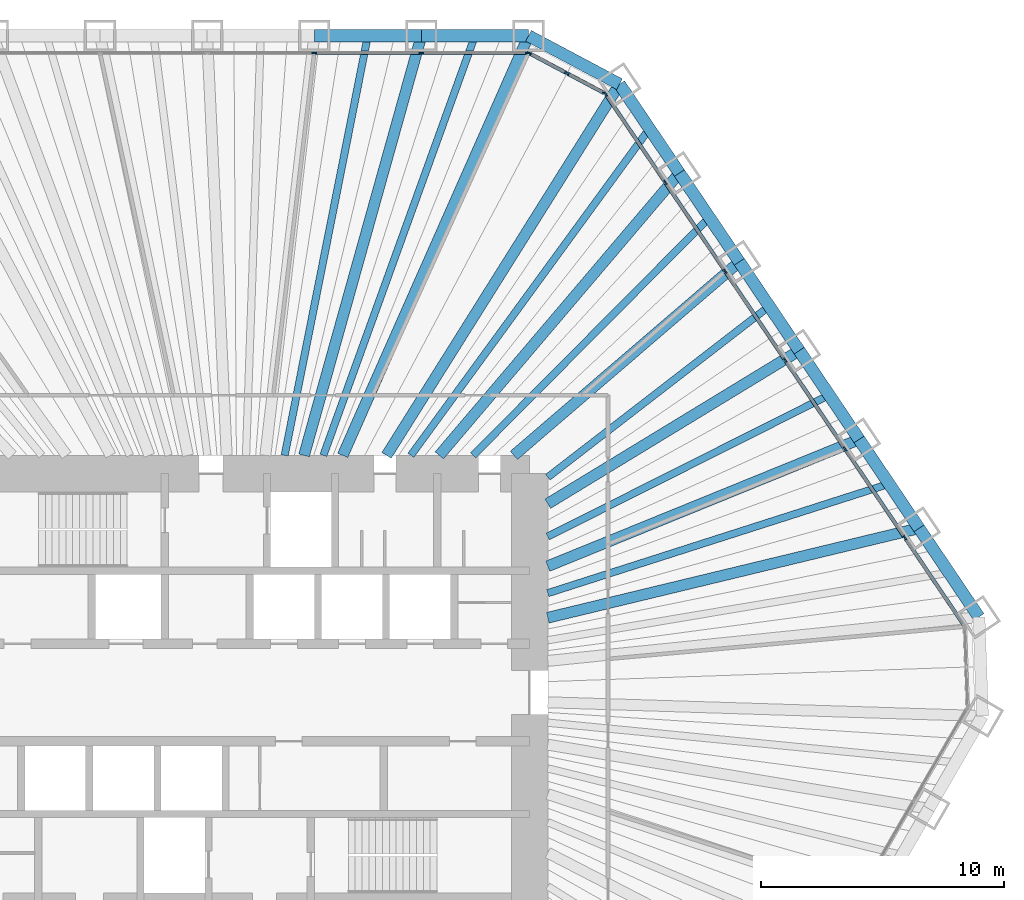
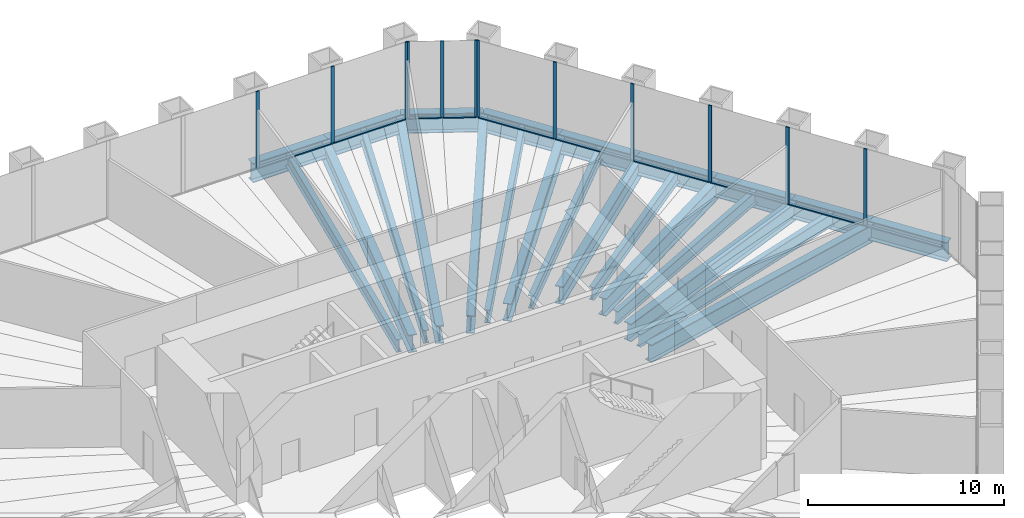
# One storey, part 7 of 13: 24 beams, 22 members, 3 elements without a shape of their own.
"""IFC4 building model written with IfcOpenShell, lengths in metres."""

import ifcopenshell
import ifcopenshell.guid

model = None  # the IFC model being written
_history = None  # IfcOwnerHistory: only IFC2X3 demands one
_inside = {}  # id of a spatial element -> (the spatial element, [elements in it])
_under = {}  # id of a project, library or spatial element -> (it, [spatial elements below it])
_declared = {}  # id of a project -> (the project, [libraries it declares])
_typed = {}  # id of a type object -> (the type object, [elements of that type])
_made_of = {}  # id of a material, layer set ... -> (it, [elements and type objects made of it])


def new_model(schema):
    """Start an empty IFC model of exactly this schema.

    Asked for "IFC4X3", IfcOpenShell would pick the latest addendum, in which some entities
    have other attributes; the version numbers below select the first issue.
    IFC2X3 requires an IfcOwnerHistory on every rooted entity: one is made here for all.
    """
    global model, _history
    if schema == "IFC4X3":
        model = ifcopenshell.file(schema_version=(4, 3, 0, 0))
    else:
        model = ifcopenshell.file(schema=schema)
    _inside.clear()
    _under.clear()
    _declared.clear()
    _typed.clear()
    _made_of.clear()
    _history = None
    if model.schema == "IFC2X3":
        org = make("IfcOrganization", Name="unknown")
        user = make(
            "IfcPersonAndOrganization",
            ThePerson=make("IfcPerson", FamilyName="unknown"),
            TheOrganization=org,
        )
        app = make(
            "IfcApplication",
            ApplicationDeveloper=org,
            Version="unknown",
            ApplicationFullName="unknown",
            ApplicationIdentifier="unknown",
        )
        _history = make(
            "IfcOwnerHistory",
            OwningUser=user,
            OwningApplication=app,
            ChangeAction="ADDED",
            CreationDate=0,
        )
    return model


def make(cls, **values):
    """One entity of the class cls with the attributes given. An attribute that is None is left unset."""
    return model.create_entity(
        cls, **{name: value for name, value in values.items() if value is not None}
    )


def rooted(cls, **values):
    """An entity with a GlobalId (a new one), such as an element, a storey or a relation."""
    return make(cls, GlobalId=ifcopenshell.guid.new(), OwnerHistory=_history, **values)


def si_unit(unit_type, name, prefix=None):
    """IfcSIUnit, for example si_unit("LENGTHUNIT", "METRE", prefix="MILLI")."""
    return make("IfcSIUnit", UnitType=unit_type, Prefix=prefix, Name=name)


def assignment(units):
    """IfcUnitAssignment: the units of a project."""
    return None if units is None else make("IfcUnitAssignment", Units=units)


def point(xyz):
    """IfcCartesianPoint."""
    return None if xyz is None else make("IfcCartesianPoint", Coordinates=xyz)


def direction(xyz):
    """IfcDirection."""
    return None if xyz is None else make("IfcDirection", DirectionRatios=xyz)


def frame(location, z_axis=None, x_axis=None):
    """IfcAxis2Placement3D, a coordinate frame: its origin and axes. An axis left out is left unset."""
    return make(
        "IfcAxis2Placement3D",
        Location=point(location),
        Axis=direction(z_axis),
        RefDirection=direction(x_axis),
    )


def frame_2d(location, x_axis=None):
    """IfcAxis2Placement2D, a coordinate frame in the plane: its origin and x axis."""
    return make(
        "IfcAxis2Placement2D", Location=point(location), RefDirection=direction(x_axis)
    )


def origin():
    """The frame at (0, 0, 0) with its axes left unset."""
    return frame((0.0, 0.0, 0.0))


def origin_2d():
    """The frame at (0, 0) in the plane with its x axis left unset."""
    return frame_2d((0.0, 0.0))


def place(relative_to, where):
    """IfcLocalPlacement: puts the frame where relative to a parent placement (None: the world)."""
    return make(
        "IfcLocalPlacement", PlacementRelTo=relative_to, RelativePlacement=where
    )


def context(
    kind, dimensions, precision=None, world=None, true_north=None, identifier=None
):
    """IfcGeometricRepresentationContext, for example the 3D "Model" context."""
    return make(
        "IfcGeometricRepresentationContext",
        ContextIdentifier=identifier,
        ContextType=kind,
        CoordinateSpaceDimension=dimensions,
        Precision=precision,
        WorldCoordinateSystem=world,
        TrueNorth=true_north,
    )


def subcontext(parent, identifier, kind, view, scale=None):
    """IfcGeometricRepresentationSubContext, for example "Body" below "Model"."""
    return make(
        "IfcGeometricRepresentationSubContext",
        ContextIdentifier=identifier,
        ContextType=kind,
        ParentContext=parent,
        TargetScale=scale,
        TargetView=view,
    )


def project(units=None, contexts=None):
    """IfcProject with its units and contexts."""
    return rooted(
        "IfcProject",
        Name="project",
        RepresentationContexts=contexts,
        UnitsInContext=assignment(units),
    )


def spatial(cls, under=None, at=None, **own):
    """A site, building, storey or space (cls), placed at a placement, below another one or the project."""
    s = rooted(cls, ObjectPlacement=at, **own)
    if under is not None:
        _under.setdefault(under.id(), (under, []))[1].append(s)
    return s


def profile(cls, at=None, kind="AREA", **sizes):
    """A parametric profile (cls). Its sizes go by their IFC names, for example OverallWidth=200.0."""
    return make(cls, ProfileType=kind, Position=at, **sizes)


def rectangle(**sizes):
    """IfcRectangleProfileDef."""
    return profile("IfcRectangleProfileDef", **sizes)


def i_section(**sizes):
    """IfcIShapeProfileDef."""
    return profile("IfcIShapeProfileDef", **sizes)


def extrude(swept, where, along, depth):
    """IfcExtrudedAreaSolid: the profile swept, set in the frame where, extruded along a direction by depth."""
    return make(
        "IfcExtrudedAreaSolid",
        SweptArea=swept,
        Position=where,
        ExtrudedDirection=direction(along),
        Depth=depth,
    )


def shape(context_of_items, identifier, shape_type, items):
    """IfcShapeRepresentation: the items that make up one representation, for example the "Body"."""
    return make(
        "IfcShapeRepresentation",
        ContextOfItems=context_of_items,
        RepresentationIdentifier=identifier,
        RepresentationType=shape_type,
        Items=items,
    )


def material(Name=None, Category=None):
    """IfcMaterial."""
    return make("IfcMaterial", Name=Name, Category=Category)


def material_profile(
    of_material, cross_section, Name=None, Category=None, Priority=None
):
    """IfcMaterialProfile: a cross section and its material."""
    return make(
        "IfcMaterialProfile",
        Name=Name,
        Material=of_material,
        Profile=cross_section,
        Priority=Priority,
        Category=Category,
    )


def profile_set(profiles, Name=None, composite=None):
    """IfcMaterialProfileSet."""
    return make(
        "IfcMaterialProfileSet",
        Name=Name,
        MaterialProfiles=profiles,
        CompositeProfile=composite,
    )


def made_of(thing, what):
    """Note that an element or type object is made of a material, layer set ...; save() writes the relation."""
    if what is not None:
        _made_of.setdefault(what.id(), (what, []))[1].append(thing)
    return thing


def type_object(cls, material=None, **own):
    """A type object (cls), such as IfcWallType, which elements share."""
    return made_of(rooted(cls, **own), material)


def element(
    cls,
    number,
    at=None,
    inside=None,
    cuts=None,
    type_object=None,
    material=None,
    context=None,
    identifier="Body",
    shape_type=None,
    held_by="IfcProductDefinitionShape",
    body=None,
    shapes=None,
    **own,
):
    """One element of the class cls, such as IfcWall. Its Tag is "e" and its number.

    at: its placement. inside: the storey or other place that contains it. cuts: it is an
    opening in that element (IfcRelVoidsElement). A single representation is given by context,
    identifier, shape_type and body (its items); several are given by shapes. held_by: the class
    of the entity that holds the representations. save() writes the other relations.
    """
    e = rooted(cls, Tag="e%d" % number, ObjectPlacement=at, **own)
    if body is not None:
        shapes = [shape(context, identifier, shape_type, body)]
    if shapes is not None:
        e.Representation = make(held_by, Representations=shapes)
    if inside is not None:
        _inside.setdefault(inside.id(), (inside, []))[1].append(e)
    if cuts is not None:
        rooted(
            "IfcRelVoidsElement", RelatingBuildingElement=cuts, RelatedOpeningElement=e
        )
    if type_object is not None:
        _typed.setdefault(type_object.id(), (type_object, []))[1].append(e)
    return made_of(e, material)


def aggregate(whole, parts):
    """IfcRelAggregates: a whole, such as a stair, and the parts it consists of."""
    return rooted("IfcRelAggregates", RelatingObject=whole, RelatedObjects=parts)


def save(model, path):
    """Write the relations noted so far, then the file.

    IfcRelAggregates (storeys below a building ...), IfcRelContainedInSpatialStructure (elements
    in a storey), IfcRelDefinesByType, IfcRelAssociatesMaterial and IfcRelDeclares: one each for
    every whole, place, type object, material and project.
    """
    for whole, parts in _under.values():
        aggregate(whole, parts)
    for where, things in _inside.values():
        rooted(
            "IfcRelContainedInSpatialStructure",
            RelatedElements=things,
            RelatingStructure=where,
        )
    for kind, things in _typed.values():
        rooted("IfcRelDefinesByType", RelatedObjects=things, RelatingType=kind)
    for what, things in _made_of.values():
        rooted("IfcRelAssociatesMaterial", RelatedObjects=things, RelatingMaterial=what)
    for by, libraries in _declared.values():
        rooted("IfcRelDeclares", RelatingContext=by, RelatedDefinitions=libraries)
    model.write(path)


model = new_model("IFC4")

# Units and contexts
model_context = context("Model", 3, precision=1e-05, world=origin(), true_north=direction((0.0, 1.0)))
body_context = subcontext(model_context, "Body", "Model", "MODEL_VIEW")
ifc_project = project(units=[si_unit("LENGTHUNIT", "METRE"), si_unit("AREAUNIT", "SQUARE_METRE"), si_unit("VOLUMEUNIT", "CUBIC_METRE"), si_unit("PLANEANGLEUNIT", "RADIAN"), si_unit("MASSUNIT", "GRAM", prefix="KILO")], contexts=[model_context])

# Site, building, storey
site_placement = place(None, origin())
site = spatial("IfcSite", under=ifc_project, at=site_placement, CompositionType="ELEMENT")
building_placement = place(site_placement, origin())
building = spatial("IfcBuilding", under=site, at=building_placement, Name="Qingtian Harvest Tower", CompositionType="ELEMENT")
storey_placement = place(building_placement, frame((0.0, 0.0, 62.0)))
storey = spatial("IfcBuildingStorey", under=building, at=storey_placement, Name="L12", CompositionType="ELEMENT", Elevation=62.0)

# Beams
ifc_material_1 = material(Name="Steel SM570MC", Category="steel")
ifc_material_profile_1 = material_profile(ifc_material_1, i_section(OverallWidth=0.449951171875, OverallDepth=1.10009765625, WebThickness=0.02197265625, FlangeThickness=0.044921875, at=origin_2d()), Name="H1100x450x22x45")
ifc_profile_set_1 = profile_set([ifc_material_profile_1], Name="Steel SM570MC")
beam_type_1 = type_object("IfcBeamType", Name="Corner floor beam FB8 H1100x450x22x45", PredefinedType="BEAM", material=ifc_profile_set_1)
beam_1_placement = place(storey_placement, frame((11.9560546875, 27.0, -0.75), z_axis=(-0.404898955654, -0.914361436036, 0.0), x_axis=(0.914361436036, -0.404898955654, 0.0)))
element("IfcBeam", 1, at=beam_1_placement, inside=storey, type_object=beam_type_1, Name="Floor beam FB8 N6", PredefinedType="BEAM", context=body_context, shape_type="SweptSolid", body=[
    extrude(i_section(OverallWidth=0.449951171875, OverallDepth=1.10009765625, WebThickness=0.02197265625, FlangeThickness=0.044921875, at=origin_2d()), origin(), (0.0, 0.0, 1.0), 18.86572265625),
])
beam_2_placement = place(storey_placement, frame((15.6982421875, 25.01025390625, -0.75), z_axis=(-0.531622796942, -0.846981228701, 0.0), x_axis=(0.846981228701, -0.531622796942, 0.0)))
element("IfcBeam", 2, at=beam_2_placement, inside=storey, type_object=beam_type_1, Name="Floor beam FB8 NE0", PredefinedType="BEAM", context=body_context, shape_type="SweptSolid", body=[
    extrude(i_section(OverallWidth=0.449951171875, OverallDepth=1.10009765625, WebThickness=0.02197265625, FlangeThickness=0.044921875, at=origin_2d()), origin(), (0.0, 0.0, 1.0), 18.017333984375),
])
ifc_material_2 = material(Name="Steel SM570MC", Category="steel")
ifc_material_profile_2 = material_profile(ifc_material_2, i_section(OverallWidth=0.449951171875, OverallDepth=1.10009765625, WebThickness=0.02197265625, FlangeThickness=0.044921875, at=origin_2d()), Name="H1100x450x22x45")
ifc_profile_set_2 = profile_set([ifc_material_profile_2], Name="Steel SM570MC")
beam_type_2 = type_object("IfcBeamType", Name="Floor beam FB1 H1100x450x22x45", PredefinedType="BEAM", material=ifc_profile_set_2)
beam_3_placement = place(storey_placement, frame((7.551513671875, 27.0, -0.75), z_axis=(-0.269343258019, -0.963044240604, 0.0), x_axis=(0.963044240604, -0.269343258019, 0.0)))
element("IfcBeam", 3, at=beam_3_placement, inside=storey, type_object=beam_type_2, Name="Floor beam FB1 N5", PredefinedType="BEAM", context=body_context, shape_type="SweptSolid", body=[
    extrude(i_section(OverallWidth=0.449951171875, OverallDepth=1.10009765625, WebThickness=0.02197265625, FlangeThickness=0.044921875, at=origin_2d()), origin(), (0.0, 0.0, 1.0), 17.911865234375),
])
beam_4_placement = place(storey_placement, frame((18.1611328125, 21.358642578125, -0.75), z_axis=(-0.647781887327, -0.761825850474, 0.0), x_axis=(0.761825850474, -0.647781887327, 0.0)))
element("IfcBeam", 4, at=beam_4_placement, inside=storey, type_object=beam_type_2, Name="Floor beam FB1 NE1", PredefinedType="BEAM", context=body_context, shape_type="SweptSolid", body=[
    extrude(i_section(OverallWidth=0.449951171875, OverallDepth=1.10009765625, WebThickness=0.02197265625, FlangeThickness=0.044921875, at=origin_2d()), origin(), (0.0, 0.0, 1.0), 15.238037109375),
])
beam_5_placement = place(storey_placement, frame((20.624267578125, 17.70703125, -0.75), z_axis=(-0.75873153072, -0.651403457384, 0.0), x_axis=(0.651403457384, -0.75873153072, 0.0)))
element("IfcBeam", 5, at=beam_5_placement, inside=storey, type_object=beam_type_2, Name="Floor beam FB1 NE2", PredefinedType="BEAM", context=body_context, shape_type="SweptSolid", body=[
    extrude(i_section(OverallWidth=0.449951171875, OverallDepth=1.10009765625, WebThickness=0.02197265625, FlangeThickness=0.044921875, at=origin_2d()), origin(), (0.0, 0.0, 1.0), 12.21533203125),
])
beam_6_placement = place(storey_placement, frame((23.08740234375, 14.0556640625, -0.75), z_axis=(-0.854157261259, -0.520014781558, 0.0), x_axis=(0.520014781558, -0.854157261259, 0.0)))
element("IfcBeam", 6, at=beam_6_placement, inside=storey, type_object=beam_type_2, Name="Floor beam FB1 NE3", PredefinedType="BEAM", context=body_context, shape_type="SweptSolid", body=[
    extrude(i_section(OverallWidth=0.449951171875, OverallDepth=1.10009765625, WebThickness=0.02197265625, FlangeThickness=0.044921875, at=origin_2d()), origin(), (0.0, 0.0, 1.0), 12.1025390625),
])
beam_7_placement = place(storey_placement, frame((25.55029296875, 10.404052734375, -0.75), z_axis=(-0.926156354735, -0.37713977062, 0.0), x_axis=(0.37713977062, -0.926156354735, 0.0)))
element("IfcBeam", 7, at=beam_7_placement, inside=storey, type_object=beam_type_2, Name="Floor beam FB1 NE4", PredefinedType="BEAM", context=body_context, shape_type="SweptSolid", body=[
    extrude(i_section(OverallWidth=0.449951171875, OverallDepth=1.10009765625, WebThickness=0.02197265625, FlangeThickness=0.044921875, at=origin_2d()), origin(), (0.0, 0.0, 1.0), 13.82080078125),
])
beam_8_placement = place(storey_placement, frame((28.013427734375, 6.75244140625, -0.75), z_axis=(-0.972155908389, -0.234334994792, 0.0), x_axis=(0.234334994792, -0.972155908389, 0.0)))
element("IfcBeam", 8, at=beam_8_placement, inside=storey, type_object=beam_type_2, Name="Floor beam FB1 NE5", PredefinedType="BEAM", context=body_context, shape_type="SweptSolid", body=[
    extrude(i_section(OverallWidth=0.449951171875, OverallDepth=1.10009765625, WebThickness=0.02197265625, FlangeThickness=0.044921875, at=origin_2d()), origin(), (0.0, 0.0, 1.0), 15.70068359375),
])
ifc_material_3 = material(Name="Steel SN490B", Category="steel")
ifc_material_profile_3 = material_profile(ifc_material_3, i_section(OverallWidth=0.300048828125, OverallDepth=0.800048828125, WebThickness=0.013916015625, FlangeThickness=0.02587890625, at=origin_2d()), Name="H800x300x14x26")
ifc_profile_set_3 = profile_set([ifc_material_profile_3], Name="Steel SN490B")
beam_type_3 = type_object("IfcBeamType", Name="Floor joist J1 H800x300x14x26", PredefinedType="JOIST", material=ifc_profile_set_3)
beam_9_placement = place(storey_placement, frame((5.349365234375, 27.0, -0.60009765625), z_axis=(-0.19435104803, -0.980932041545, 0.0), x_axis=(0.980932041545, -0.19435104803, 0.0)))
element("IfcBeam", 9, at=beam_9_placement, inside=storey, type_object=beam_type_3, Name="Floor joist J1 N4", PredefinedType="JOIST", context=body_context, shape_type="SweptSolid", body=[
    extrude(i_section(OverallWidth=0.300048828125, OverallDepth=0.800048828125, WebThickness=0.013916015625, FlangeThickness=0.02587890625, at=origin_2d()), origin(), (0.0, 0.0, 1.0), 17.585205078125),
])
beam_10_placement = place(storey_placement, frame((9.75390625, 27.0, -0.60009765625), z_axis=(-0.339766141765, -0.940509951521, 0.0), x_axis=(0.940509951521, -0.339766141765, 0.0)))
element("IfcBeam", 10, at=beam_10_placement, inside=storey, type_object=beam_type_3, Name="Floor joist J1 N5", PredefinedType="JOIST", context=body_context, shape_type="SweptSolid", body=[
    extrude(i_section(OverallWidth=0.300048828125, OverallDepth=0.800048828125, WebThickness=0.013916015625, FlangeThickness=0.02587890625, at=origin_2d()), origin(), (0.0, 0.0, 1.0), 18.341064453125),
])
beam_11_placement = place(storey_placement, frame((16.9296875, 23.1845703125, -0.60009765625), z_axis=(-0.589722175422, -0.80760618857, 0.0), x_axis=(0.80760618857, -0.589722175422, 0.0)))
element("IfcBeam", 11, at=beam_11_placement, inside=storey, type_object=beam_type_3, Name="Floor joist J1 NE0", PredefinedType="JOIST", context=body_context, shape_type="SweptSolid", body=[
    extrude(i_section(OverallWidth=0.300048828125, OverallDepth=0.800048828125, WebThickness=0.013916015625, FlangeThickness=0.02587890625, at=origin_2d()), origin(), (0.0, 0.0, 1.0), 16.635009765625),
])
beam_12_placement = place(storey_placement, frame((19.392822265625, 19.532958984375, -0.60009765625), z_axis=(-0.704560879039, -0.709643549768, 0.0), x_axis=(0.709643549768, -0.704560879039, 0.0)))
element("IfcBeam", 12, at=beam_12_placement, inside=storey, type_object=beam_type_3, Name="Floor joist J1 NE1", PredefinedType="JOIST", context=body_context, shape_type="SweptSolid", body=[
    extrude(i_section(OverallWidth=0.300048828125, OverallDepth=0.800048828125, WebThickness=0.013916015625, FlangeThickness=0.02587890625, at=origin_2d()), origin(), (0.0, 0.0, 1.0), 13.78564453125),
])
beam_13_placement = place(storey_placement, frame((21.855712890625, 15.88134765625, -0.60009765625), z_axis=(-0.79149450594, -0.611176281499, 0.0), x_axis=(0.611176281499, -0.79149450594, 0.0)))
element("IfcBeam", 13, at=beam_13_placement, inside=storey, type_object=beam_type_3, Name="Floor joist J1 NE2", PredefinedType="JOIST", context=body_context, shape_type="SweptSolid", body=[
    extrude(i_section(OverallWidth=0.300048828125, OverallDepth=0.800048828125, WebThickness=0.013916015625, FlangeThickness=0.02587890625, at=origin_2d()), origin(), (0.0, 0.0, 1.0), 11.50439453125),
])
beam_14_placement = place(storey_placement, frame((24.31884765625, 12.229736328125, -0.60009765625), z_axis=(-0.893391632689, -0.449278744924, 0.0), x_axis=(0.449278744924, -0.893391632689, 0.0)))
element("IfcBeam", 14, at=beam_14_placement, inside=storey, type_object=beam_type_3, Name="Floor joist J1 NE3", PredefinedType="JOIST", context=body_context, shape_type="SweptSolid", body=[
    extrude(i_section(OverallWidth=0.300048828125, OverallDepth=0.800048828125, WebThickness=0.013916015625, FlangeThickness=0.02587890625, at=origin_2d()), origin(), (0.0, 0.0, 1.0), 12.949462890625),
])
beam_15_placement = place(storey_placement, frame((26.78173828125, 8.578125, -0.60009765625), z_axis=(-0.952340804978, -0.305036048976, 0.0), x_axis=(0.305036048976, -0.952340804978, 0.0)))
element("IfcBeam", 15, at=beam_15_placement, inside=storey, type_object=beam_type_3, Name="Floor joist J1 NE4", PredefinedType="JOIST", context=body_context, shape_type="SweptSolid", body=[
    extrude(i_section(OverallWidth=0.300048828125, OverallDepth=0.800048828125, WebThickness=0.013916015625, FlangeThickness=0.02587890625, at=origin_2d()), origin(), (0.0, 0.0, 1.0), 14.73388671875),
])

# Curtain wall, members
ifc_material_4 = material(Name="Bronze-anodised aluminium curtain wall", Category="aluminium")
curtain_wall_type = type_object("IfcCurtainWallType", Name="Curtain wall CW2 farm reception", PredefinedType="USERDEFINED", material=ifc_material_4)
curtain_wall_1_placement = place(storey_placement, origin())
curtain_wall_1 = element("IfcCurtainWall", 16, at=curtain_wall_1_placement, inside=storey, type_object=curtain_wall_type, Name="Curtain wall CW2 L12 N0-5", ObjectType="RECESSED CURTAIN WALL", PredefinedType="USERDEFINED")
ifc_material_5 = material(Name="Bronze-anodised aluminium mullion", Category="aluminium")
ifc_material_profile_4 = material_profile(ifc_material_5, rectangle(XDim=0.06494140625, YDim=0.199951171875, at=origin_2d()), Name="AL 65x200")
ifc_profile_set_4 = profile_set([ifc_material_profile_4], Name="Bronze-anodised aluminium mullion")
member_type_1 = type_object("IfcMemberType", Name="Mullion CWM 65x200", PredefinedType="MULLION", material=ifc_profile_set_4)
member_1_placement = place(storey_placement, frame((3.14697265625, 26.300048828125, 0.0), z_axis=(0.0, 0.0, 1.0), x_axis=(0.0, 1.0, 0.0)))
member_1 = element("IfcMember", 17, at=member_1_placement, type_object=member_type_1, Name="CW2 mullion 5", PredefinedType="MULLION", context=body_context, shape_type="SweptSolid", body=[
    extrude(rectangle(XDim=0.06494140625, YDim=0.199951171875, at=origin_2d()), origin(), (0.0, 0.0, 1.0), 4.800048828125),
])
member_2_placement = place(storey_placement, frame((7.551513671875, 26.300048828125, 0.0), z_axis=(0.0, 0.0, 1.0), x_axis=(0.0, 1.0, 0.0)))
member_2 = element("IfcMember", 18, at=member_2_placement, type_object=member_type_1, Name="CW2 mullion 6", PredefinedType="MULLION", context=body_context, shape_type="SweptSolid", body=[
    extrude(rectangle(XDim=0.06494140625, YDim=0.199951171875, at=origin_2d()), origin(), (0.0, 0.0, 1.0), 4.800048828125),
])
member_3_placement = place(storey_placement, frame((11.923583984375, 26.300048828125, 0.0), z_axis=(0.0, 0.0, 1.0), x_axis=(0.0, 1.0, 0.0)))
member_3 = element("IfcMember", 19, at=member_3_placement, type_object=member_type_1, Name="CW2 mullion 7", PredefinedType="MULLION", context=body_context, shape_type="SweptSolid", body=[
    extrude(rectangle(XDim=0.06494140625, YDim=0.199951171875, at=origin_2d()), origin(), (0.0, 0.0, 1.0), 4.800048828125),
])

curtain_wall_2_placement = place(storey_placement, origin())
curtain_wall_2 = element("IfcCurtainWall", 20, at=curtain_wall_2_placement, inside=storey, type_object=curtain_wall_type, Name="Curtain wall CW2 L12 NC", ObjectType="RECESSED CURTAIN WALL", PredefinedType="USERDEFINED")
member_4_placement = place(storey_placement, frame((11.98486328125, 26.28466796875, 0.0), z_axis=(0.0, 0.0, 1.0), x_axis=(0.469471562786, 0.882947592859, 0.0)))
member_4 = element("IfcMember", 21, at=member_4_placement, type_object=member_type_1, Name="CW2 mullion 1", PredefinedType="MULLION", context=body_context, shape_type="SweptSolid", body=[
    extrude(rectangle(XDim=0.06494140625, YDim=0.199951171875, at=origin_2d()), origin(), (0.0, 0.0, 1.0), 4.800048828125),
])
member_5_placement = place(storey_placement, frame((13.537109375, 25.45947265625, 0.0), z_axis=(0.0, 0.0, 1.0), x_axis=(0.469471562786, 0.882947592859, 0.0)))
member_5 = element("IfcMember", 22, at=member_5_placement, type_object=member_type_1, Name="CW2 mullion 2", PredefinedType="MULLION", context=body_context, shape_type="SweptSolid", body=[
    extrude(rectangle(XDim=0.06494140625, YDim=0.199951171875, at=origin_2d()), origin(), (0.0, 0.0, 1.0), 4.800048828125),
])
member_6_placement = place(storey_placement, frame((15.089111328125, 24.634033203125, 0.0), z_axis=(0.0, 0.0, 1.0), x_axis=(0.469471562786, 0.882947592859, 0.0)))
member_6 = element("IfcMember", 23, at=member_6_placement, type_object=member_type_1, Name="CW2 mullion 3", PredefinedType="MULLION", context=body_context, shape_type="SweptSolid", body=[
    extrude(rectangle(XDim=0.06494140625, YDim=0.199951171875, at=origin_2d()), origin(), (0.0, 0.0, 1.0), 4.800048828125),
])

curtain_wall_3_placement = place(storey_placement, origin())
curtain_wall_3 = element("IfcCurtainWall", 24, at=curtain_wall_3_placement, inside=storey, type_object=curtain_wall_type, Name="Curtain wall CW2 L12 NE0-5", ObjectType="RECESSED CURTAIN WALL", PredefinedType="USERDEFINED")
member_7_placement = place(storey_placement, frame((15.135986328125, 24.592041015625, 0.0), z_axis=(0.0, 0.0, 1.0), x_axis=(0.829037572555, 0.559192903471, 0.0)))
member_7 = element("IfcMember", 25, at=member_7_placement, type_object=member_type_1, Name="CW2 mullion 1", PredefinedType="MULLION", context=body_context, shape_type="SweptSolid", body=[
    extrude(rectangle(XDim=0.06494140625, YDim=0.199951171875, at=origin_2d()), origin(), (0.0, 0.0, 1.0), 4.800048828125),
])
member_8_placement = place(storey_placement, frame((17.580810546875, 20.96728515625, 0.0), z_axis=(0.0, 0.0, 1.0), x_axis=(0.829037572555, 0.559192903471, 0.0)))
member_8 = element("IfcMember", 26, at=member_8_placement, type_object=member_type_1, Name="CW2 mullion 2", PredefinedType="MULLION", context=body_context, shape_type="SweptSolid", body=[
    extrude(rectangle(XDim=0.06494140625, YDim=0.199951171875, at=origin_2d()), origin(), (0.0, 0.0, 1.0), 4.800048828125),
])
member_9_placement = place(storey_placement, frame((20.0439453125, 17.315673828125, 0.0), z_axis=(0.0, 0.0, 1.0), x_axis=(0.829037572555, 0.559192903471, 0.0)))
member_9 = element("IfcMember", 27, at=member_9_placement, type_object=member_type_1, Name="CW2 mullion 3", PredefinedType="MULLION", context=body_context, shape_type="SweptSolid", body=[
    extrude(rectangle(XDim=0.06494140625, YDim=0.199951171875, at=origin_2d()), origin(), (0.0, 0.0, 1.0), 4.800048828125),
])
member_10_placement = place(storey_placement, frame((22.507080078125, 13.6640625, 0.0), z_axis=(0.0, 0.0, 1.0), x_axis=(0.829037572555, 0.559192903471, 0.0)))
member_10 = element("IfcMember", 28, at=member_10_placement, type_object=member_type_1, Name="CW2 mullion 4", PredefinedType="MULLION", context=body_context, shape_type="SweptSolid", body=[
    extrude(rectangle(XDim=0.06494140625, YDim=0.199951171875, at=origin_2d()), origin(), (0.0, 0.0, 1.0), 4.800048828125),
])
member_11_placement = place(storey_placement, frame((24.969970703125, 10.012451171875, 0.0), z_axis=(0.0, 0.0, 1.0), x_axis=(0.829037572555, 0.559192903471, 0.0)))
member_11 = element("IfcMember", 29, at=member_11_placement, type_object=member_type_1, Name="CW2 mullion 5", PredefinedType="MULLION", context=body_context, shape_type="SweptSolid", body=[
    extrude(rectangle(XDim=0.06494140625, YDim=0.199951171875, at=origin_2d()), origin(), (0.0, 0.0, 1.0), 4.800048828125),
])
member_12_placement = place(storey_placement, frame((27.43310546875, 6.36083984375, 0.0), z_axis=(0.0, 0.0, 1.0), x_axis=(0.829037572555, 0.559192903471, 0.0)))
member_12 = element("IfcMember", 30, at=member_12_placement, type_object=member_type_1, Name="CW2 mullion 6", PredefinedType="MULLION", context=body_context, shape_type="SweptSolid", body=[
    extrude(rectangle(XDim=0.06494140625, YDim=0.199951171875, at=origin_2d()), origin(), (0.0, 0.0, 1.0), 4.800048828125),
])

# Beams
ifc_material_6 = material(Name="Steel SM570MC", Category="steel")
ifc_material_profile_5 = material_profile(ifc_material_6, i_section(OverallWidth=0.5, OverallDepth=1.199951171875, WebThickness=0.02490234375, FlangeThickness=0.050048828125, at=origin_2d()), Name="H1200x500x25x50")
ifc_profile_set_5 = profile_set([ifc_material_profile_5], Name="Steel SM570MC")
beam_type_4 = type_object("IfcBeamType", Name="Spandrel beam SB1 H1200x500x25x50", PredefinedType="SPANDREL", material=ifc_profile_set_5)
for number, where, z_axis, x_axis, name in (
    (31, (3.14697265625, 27.0, -0.60009765625), (1.0, 0.0, 0.0), (0.0, 1.0, 0.0), "Spandrel SB1 N4"),
    (32, (7.551513671875, 27.0, -0.60009765625), (1.0, 0.0, 0.0), (0.0, 1.0, 0.0), "Spandrel SB1 N5"),
):
    element("IfcBeam", number, at=place(storey_placement, frame(where, z_axis=z_axis, x_axis=x_axis)), inside=storey, type_object=beam_type_4, Name=name, PredefinedType="SPANDREL", context=body_context, shape_type="SweptSolid", body=[
        extrude(i_section(OverallWidth=0.5, OverallDepth=1.199951171875, WebThickness=0.02490234375, FlangeThickness=0.050048828125, at=origin_2d()), origin(), (0.0, 0.0, 1.0), 4.404541015625),
    ])
beam_16_placement = place(storey_placement, frame((11.9560546875, 27.0, -0.60009765625), z_axis=(0.882948599748, -0.469469669099, 0.0), x_axis=(0.469469669099, 0.882948599748, 0.0)))
element("IfcBeam", 33, at=beam_16_placement, inside=storey, type_object=beam_type_4, Name="Spandrel SB1 NC", PredefinedType="SPANDREL", context=body_context, shape_type="SweptSolid", body=[
    extrude(i_section(OverallWidth=0.5, OverallDepth=1.199951171875, WebThickness=0.02490234375, FlangeThickness=0.050048828125, at=origin_2d()), origin(), (0.0, 0.0, 1.0), 4.23828125),
])
beam_17_placement = place(storey_placement, frame((15.6982421875, 25.01025390625, -0.60009765625), z_axis=(0.559169135272, -0.829053603912, 0.0), x_axis=(0.829053603912, 0.559169135272, 0.0)))
element("IfcBeam", 34, at=beam_17_placement, inside=storey, type_object=beam_type_4, Name="Spandrel SB1 NE0", PredefinedType="SPANDREL", context=body_context, shape_type="SweptSolid", body=[
    extrude(i_section(OverallWidth=0.5, OverallDepth=1.199951171875, WebThickness=0.02490234375, FlangeThickness=0.050048828125, at=origin_2d()), origin(), (0.0, 0.0, 1.0), 4.404541015625),
])
beam_18_placement = place(storey_placement, frame((18.1611328125, 21.358642578125, -0.60009765625), z_axis=(0.559207231603, -0.829027907928, 0.0), x_axis=(0.829027907928, 0.559207231603, 0.0)))
element("IfcBeam", 35, at=beam_18_placement, inside=storey, type_object=beam_type_4, Name="Spandrel SB1 NE1", PredefinedType="SPANDREL", context=body_context, shape_type="SweptSolid", body=[
    extrude(i_section(OverallWidth=0.5, OverallDepth=1.199951171875, WebThickness=0.02490234375, FlangeThickness=0.050048828125, at=origin_2d()), origin(), (0.0, 0.0, 1.0), 4.40478515625),
])
for number, where, z_axis, x_axis, name in (
    (36, (20.624267578125, 17.70703125, -0.60009765625), (0.559232928578, -0.829010573874, 0.0), (0.829010573874, 0.559232928578, 0.0), "Spandrel SB1 NE2"),
    (37, (23.08740234375, 14.0556640625, -0.60009765625), (0.559169135272, -0.829053603912, 0.0), (0.829053603912, 0.559169135272, 0.0), "Spandrel SB1 NE3"),
):
    element("IfcBeam", number, at=place(storey_placement, frame(where, z_axis=z_axis, x_axis=x_axis)), inside=storey, type_object=beam_type_4, Name=name, PredefinedType="SPANDREL", context=body_context, shape_type="SweptSolid", body=[
        extrude(i_section(OverallWidth=0.5, OverallDepth=1.199951171875, WebThickness=0.02490234375, FlangeThickness=0.050048828125, at=origin_2d()), origin(), (0.0, 0.0, 1.0), 4.404541015625),
    ])
beam_19_placement = place(storey_placement, frame((25.55029296875, 10.404052734375, -0.60009765625), z_axis=(0.559207231603, -0.829027907928, 0.0), x_axis=(0.829027907928, 0.559207231603, 0.0)))
element("IfcBeam", 38, at=beam_19_placement, inside=storey, type_object=beam_type_4, Name="Spandrel SB1 NE4", PredefinedType="SPANDREL", context=body_context, shape_type="SweptSolid", body=[
    extrude(i_section(OverallWidth=0.5, OverallDepth=1.199951171875, WebThickness=0.02490234375, FlangeThickness=0.050048828125, at=origin_2d()), origin(), (0.0, 0.0, 1.0), 4.40478515625),
])
beam_20_placement = place(storey_placement, frame((28.013427734375, 6.75244140625, -0.60009765625), z_axis=(0.559169135272, -0.829053603912, 0.0), x_axis=(0.829053603912, 0.559169135272, 0.0)))
element("IfcBeam", 39, at=beam_20_placement, inside=storey, type_object=beam_type_4, Name="Spandrel SB1 NE5", PredefinedType="SPANDREL", context=body_context, shape_type="SweptSolid", body=[
    extrude(i_section(OverallWidth=0.5, OverallDepth=1.199951171875, WebThickness=0.02490234375, FlangeThickness=0.050048828125, at=origin_2d()), origin(), (0.0, 0.0, 1.0), 4.404541015625),
])

# Member
ifc_material_7 = material(Name="Bronze-anodised aluminium transom", Category="aluminium")
ifc_material_profile_6 = material_profile(ifc_material_7, rectangle(XDim=0.14990234375, YDim=0.06494140625, at=origin_2d()), Name="AL 65x150")
ifc_profile_set_6 = profile_set([ifc_material_profile_6], Name="Bronze-anodised aluminium transom")
member_type_2 = type_object("IfcMemberType", Name="Transom CWT 65x150", PredefinedType="USERDEFINED", material=ifc_profile_set_6)
member_13_placement = place(storey_placement, frame((3.179443359375, 26.300048828125, 0.032470703125), z_axis=(1.0, 0.0, 0.0), x_axis=(0.0, 1.0, 0.0)))
member_13 = element("IfcMember", 40, at=member_13_placement, type_object=member_type_2, Name="CW2 transom 5.1", ObjectType="TRANSOM", PredefinedType="USERDEFINED", context=body_context, shape_type="SweptSolid", body=[
    extrude(rectangle(XDim=0.14990234375, YDim=0.06494140625, at=origin_2d()), origin(), (0.0, 0.0, 1.0), 4.339599609375),
])

member_14_placement = place(storey_placement, frame((7.583984375, 26.300048828125, 0.032470703125), z_axis=(1.0, 0.0, 0.0), x_axis=(0.0, 1.0, 0.0)))
member_14 = element("IfcMember", 41, at=member_14_placement, type_object=member_type_2, Name="CW2 transom 6.1", ObjectType="TRANSOM", PredefinedType="USERDEFINED", context=body_context, shape_type="SweptSolid", body=[
    extrude(rectangle(XDim=0.14990234375, YDim=0.06494140625, at=origin_2d()), origin(), (0.0, 0.0, 1.0), 4.30712890625),
])

aggregate(curtain_wall_1, [member_1, member_2, member_3, member_13, member_14])

member_15_placement = place(storey_placement, frame((12.013427734375, 26.26953125, 0.032470703125), z_axis=(0.882927080927, -0.469510138086, 0.0), x_axis=(0.469510138086, 0.882927080927, 0.0)))
member_15 = element("IfcMember", 42, at=member_15_placement, type_object=member_type_2, Name="CW2 transom 1.1", ObjectType="TRANSOM", PredefinedType="USERDEFINED", context=body_context, shape_type="SweptSolid", body=[
    extrude(rectangle(XDim=0.14990234375, YDim=0.06494140625, at=origin_2d()), origin(), (0.0, 0.0, 1.0), 1.693115234375),
])

member_16_placement = place(storey_placement, frame((13.565673828125, 25.444091796875, 0.032470703125), z_axis=(0.882986854304, -0.469397715297, 0.0), x_axis=(0.469397715297, 0.882986854304, 0.0)))
member_16 = element("IfcMember", 43, at=member_16_placement, type_object=member_type_2, Name="CW2 transom 2.1", ObjectType="TRANSOM", PredefinedType="USERDEFINED", context=body_context, shape_type="SweptSolid", body=[
    extrude(rectangle(XDim=0.14990234375, YDim=0.06494140625, at=origin_2d()), origin(), (0.0, 0.0, 1.0), 1.69287109375),
])

aggregate(curtain_wall_2, [member_4, member_5, member_6, member_15, member_16])

member_17_placement = place(storey_placement, frame((15.154296875, 24.56494140625, 0.032470703125), z_axis=(0.559178817275, -0.82904707364, 0.0), x_axis=(0.82904707364, 0.559178817275, 0.0)))
member_17 = element("IfcMember", 44, at=member_17_placement, type_object=member_type_2, Name="CW2 transom 1.1", ObjectType="TRANSOM", PredefinedType="USERDEFINED", context=body_context, shape_type="SweptSolid", body=[
    extrude(rectangle(XDim=0.14990234375, YDim=0.06494140625, at=origin_2d()), origin(), (0.0, 0.0, 1.0), 4.30712890625),
])

member_18_placement = place(storey_placement, frame((17.59912109375, 20.9404296875, 0.032470703125), z_axis=(0.559210013199, -0.82902603164, 0.0), x_axis=(0.82902603164, 0.559210013199, 0.0)))
member_18 = element("IfcMember", 45, at=member_18_placement, type_object=member_type_2, Name="CW2 transom 2.1", ObjectType="TRANSOM", PredefinedType="USERDEFINED", context=body_context, shape_type="SweptSolid", body=[
    extrude(rectangle(XDim=0.14990234375, YDim=0.06494140625, at=origin_2d()), origin(), (0.0, 0.0, 1.0), 4.339599609375),
])

member_19_placement = place(storey_placement, frame((20.06201171875, 17.288818359375, 0.032470703125), z_axis=(0.559210013199, -0.82902603164, 0.0), x_axis=(0.82902603164, 0.559210013199, 0.0)))
member_19 = element("IfcMember", 46, at=member_19_placement, type_object=member_type_2, Name="CW2 transom 3.1", ObjectType="TRANSOM", PredefinedType="USERDEFINED", context=body_context, shape_type="SweptSolid", body=[
    extrude(rectangle(XDim=0.14990234375, YDim=0.06494140625, at=origin_2d()), origin(), (0.0, 0.0, 1.0), 4.339599609375),
])

member_20_placement = place(storey_placement, frame((22.525146484375, 13.63720703125, 0.032470703125), z_axis=(0.559210013199, -0.82902603164, 0.0), x_axis=(0.82902603164, 0.559210013199, 0.0)))
member_20 = element("IfcMember", 47, at=member_20_placement, type_object=member_type_2, Name="CW2 transom 4.1", ObjectType="TRANSOM", PredefinedType="USERDEFINED", context=body_context, shape_type="SweptSolid", body=[
    extrude(rectangle(XDim=0.14990234375, YDim=0.06494140625, at=origin_2d()), origin(), (0.0, 0.0, 1.0), 4.339599609375),
])

member_21_placement = place(storey_placement, frame((24.98828125, 9.985595703125, 0.032470703125), z_axis=(0.559171345763, -0.829052113005, 0.0), x_axis=(0.829052113005, 0.559171345763, 0.0)))
member_21 = element("IfcMember", 48, at=member_21_placement, type_object=member_type_2, Name="CW2 transom 5.1", ObjectType="TRANSOM", PredefinedType="USERDEFINED", context=body_context, shape_type="SweptSolid", body=[
    extrude(rectangle(XDim=0.14990234375, YDim=0.06494140625, at=origin_2d()), origin(), (0.0, 0.0, 1.0), 4.339599609375),
])

member_22_placement = place(storey_placement, frame((27.451171875, 6.333984375, 0.032470703125), z_axis=(0.559178817275, -0.82904707364, 0.0), x_axis=(0.82904707364, 0.559178817275, 0.0)))
member_22 = element("IfcMember", 49, at=member_22_placement, type_object=member_type_2, Name="CW2 transom 6.1", ObjectType="TRANSOM", PredefinedType="USERDEFINED", context=body_context, shape_type="SweptSolid", body=[
    extrude(rectangle(XDim=0.14990234375, YDim=0.06494140625, at=origin_2d()), origin(), (0.0, 0.0, 1.0), 4.30712890625),
])

aggregate(curtain_wall_3, [member_7, member_8, member_9, member_10, member_11, member_12, member_17, member_18, member_19, member_20, member_21, member_22])

save(model, "model.ifc")
